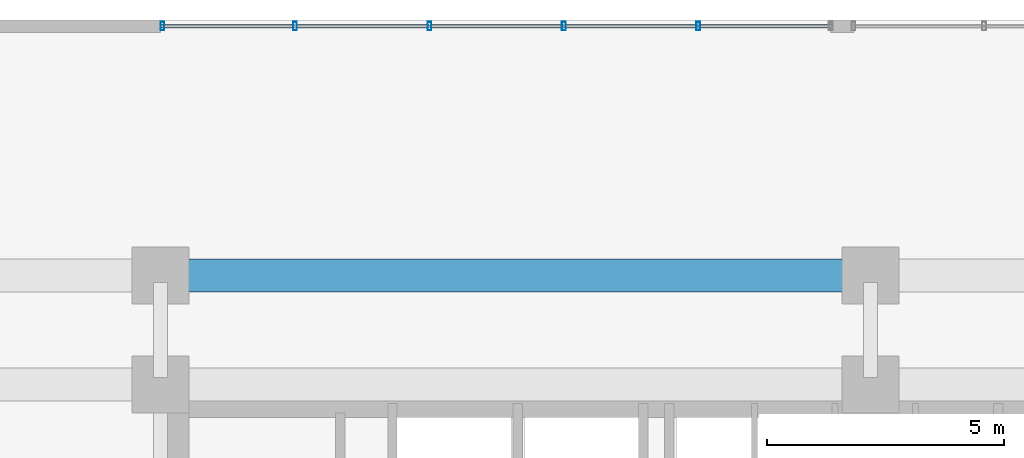
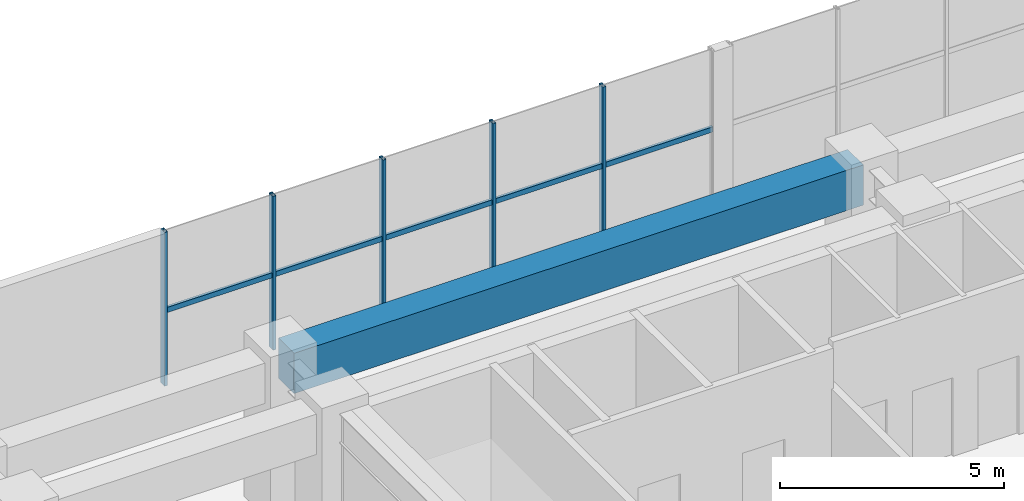
# One storey, part 8 of 24: 10 members, 1 beam, 1 element without a shape of its own.
"""IFC4 building model written with IfcOpenShell, lengths in metres."""

from ifc_helpers import new_model, si_unit, direction, frame, origin, origin_2d, place, context, subcontext, project, spatial, rectangle, hollow_rectangle, extrude, source, transform, mapped, material, material_profile, profile_set, type_object, element, aggregate, save


model = new_model("IFC4")

# Units and contexts
model_context = context("Model", 3, precision=1e-05, world=origin(), true_north=direction((0.0, 1.0)))
body_context = subcontext(model_context, "Body", "Model", "MODEL_VIEW")
ifc_project = project(units=[si_unit("LENGTHUNIT", "METRE"), si_unit("AREAUNIT", "SQUARE_METRE"), si_unit("VOLUMEUNIT", "CUBIC_METRE"), si_unit("PLANEANGLEUNIT", "RADIAN"), si_unit("MASSUNIT", "GRAM", prefix="KILO")], contexts=[model_context])

# Site, building, storey
site_placement = place(None, origin())
site = spatial("IfcSite", under=ifc_project, at=site_placement, CompositionType="ELEMENT")
building_placement = place(site_placement, origin())
building = spatial("IfcBuilding", under=site, at=building_placement, Name="Trelvane Seafront Commons", CompositionType="ELEMENT")
storey_placement = place(building_placement, frame((0.0, 0.0, 5.199951171875)))
storey = spatial("IfcBuildingStorey", under=building, at=storey_placement, Name="L01", CompositionType="ELEMENT", Elevation=5.199951171875)

# Beam
ifc_material_1 = material(Name="Concrete C50/60", Category="concrete")
ifc_material_profile_1 = material_profile(ifc_material_1, rectangle(XDim=0.699951171875, YDim=1.10009765625, at=origin_2d()), Name="RC-700x1100")
ifc_profile_set_1 = profile_set([ifc_material_profile_1], Name="Concrete C50/60")
beam_type = type_object("IfcBeamType", Name="STR-TBM-RC700x1100", PredefinedType="T_BEAM", material=ifc_profile_set_1)
shared_shape_1 = source(origin(), body_context, "Body", "SweptSolid", [
    extrude(rectangle(XDim=0.699951171875, YDim=1.10009765625, at=origin_2d()), origin(), (0.0, 0.0, 1.0), 14.699951171875),
])
beam_placement = place(storey_placement, frame((15.75, 47.39990234375, 3.650146484375), z_axis=(1.0, 0.0, 0.0), x_axis=(0.0, 1.0, 0.0)))
element("IfcBeam", 1, at=beam_placement, inside=storey, type_object=beam_type, Name="L01 Primary Girder G-27", PredefinedType="T_BEAM", context=body_context, shape_type="MappedRepresentation", body=[
    mapped(shared_shape_1, transform((0.0, 0.0, 0.0), x_axis=(1.0, 0.0, 0.0), y_axis=(0.0, 1.0, 0.0), z_axis=(0.0, 0.0, 1.0), scale=1.0)),
])

# Curtain wall, members
ifc_material_2 = material(Name="Anodised pale-silver aluminium", Category="aluminium")
curtain_wall_type = type_object("IfcCurtainWallType", Name="ARCH-CW1-PODIUM", PredefinedType="NOTDEFINED", material=ifc_material_2)
curtain_wall_placement = place(storey_placement, origin())
curtain_wall = element("IfcCurtainWall", 2, at=curtain_wall_placement, inside=storey, type_object=curtain_wall_type, Name="CW-L01-0007", PredefinedType="NOTDEFINED")
ifc_material_profile_2 = material_profile(ifc_material_2, hollow_rectangle(XDim=0.080078125, YDim=0.179931640625, WallThickness=0.00439453125, at=origin_2d()), Name="MULL-80x180x4.5")
ifc_profile_set_2 = profile_set([ifc_material_profile_2], Name="Anodised pale-silver aluminium")
member_type_1 = type_object("IfcMemberType", Name="ARCH-CW-MULL-180", PredefinedType="MULLION", material=ifc_profile_set_2)
shared_shape_2 = source(origin(), body_context, "Body", "SweptSolid", [
    extrude(hollow_rectangle(XDim=0.080078125, YDim=0.179931640625, WallThickness=0.00439453125, at=origin_2d()), origin(), (0.0, 0.0, 1.0), 4.199951171875),
])
member_1_placement = place(storey_placement, frame((15.639892578125, 52.669921875, 0.0), z_axis=(0.0, 0.0, 1.0), x_axis=(1.0, 0.0, 0.0)))
member_1 = element("IfcMember", 3, at=member_1_placement, type_object=member_type_1, Name="CW-L01-0007-M00", PredefinedType="MULLION", context=body_context, shape_type="MappedRepresentation", body=[
    mapped(shared_shape_2, transform((0.0, 0.0, 0.0), x_axis=(1.0, 0.0, 0.0), y_axis=(0.0, 1.0, 0.0), z_axis=(0.0, 0.0, 1.0), scale=1.0)),
])
member_2_placement = place(storey_placement, frame((18.43994140625, 52.669921875, 0.0), z_axis=(0.0, 0.0, 1.0), x_axis=(1.0, 0.0, 0.0)))
member_2 = element("IfcMember", 4, at=member_2_placement, type_object=member_type_1, Name="CW-L01-0007-M01", PredefinedType="MULLION", context=body_context, shape_type="MappedRepresentation", body=[
    mapped(shared_shape_2, transform((0.0, 0.0, 0.0), x_axis=(1.0, 0.0, 0.0), y_axis=(0.0, 1.0, 0.0), z_axis=(0.0, 0.0, 1.0), scale=1.0)),
])
member_3_placement = place(storey_placement, frame((21.280029296875, 52.669921875, 0.0), z_axis=(0.0, 0.0, 1.0), x_axis=(1.0, 0.0, 0.0)))
member_3 = element("IfcMember", 5, at=member_3_placement, type_object=member_type_1, Name="CW-L01-0007-M02", PredefinedType="MULLION", context=body_context, shape_type="MappedRepresentation", body=[
    mapped(shared_shape_2, transform((0.0, 0.0, 0.0), x_axis=(1.0, 0.0, 0.0), y_axis=(0.0, 1.0, 0.0), z_axis=(0.0, 0.0, 1.0), scale=1.0)),
])
member_4_placement = place(storey_placement, frame((24.1201171875, 52.669921875, 0.0), z_axis=(0.0, 0.0, 1.0), x_axis=(1.0, 0.0, 0.0)))
member_4 = element("IfcMember", 6, at=member_4_placement, type_object=member_type_1, Name="CW-L01-0007-M03", PredefinedType="MULLION", context=body_context, shape_type="MappedRepresentation", body=[
    mapped(shared_shape_2, transform((0.0, 0.0, 0.0), x_axis=(1.0, 0.0, 0.0), y_axis=(0.0, 1.0, 0.0), z_axis=(0.0, 0.0, 1.0), scale=1.0)),
])
member_5_placement = place(storey_placement, frame((26.9599609375, 52.669921875, 0.0), z_axis=(0.0, 0.0, 1.0), x_axis=(1.0, 0.0, 0.0)))
member_5 = element("IfcMember", 7, at=member_5_placement, type_object=member_type_1, Name="CW-L01-0007-M04", PredefinedType="MULLION", context=body_context, shape_type="MappedRepresentation", body=[
    mapped(shared_shape_2, transform((0.0, 0.0, 0.0), x_axis=(1.0, 0.0, 0.0), y_axis=(0.0, 1.0, 0.0), z_axis=(0.0, 0.0, 1.0), scale=1.0)),
])
ifc_material_profile_3 = material_profile(ifc_material_2, hollow_rectangle(XDim=0.074951171875, YDim=0.139892578125, WallThickness=0.00390625, at=origin_2d()), Name="TRAN-75x140x4")
ifc_profile_set_3 = profile_set([ifc_material_profile_3], Name="Anodised pale-silver aluminium")
member_type_2 = type_object("IfcMemberType", Name="ARCH-CW-TRAN-140", PredefinedType="USERDEFINED", material=ifc_profile_set_3)
shared_shape_3 = source(origin(), body_context, "Body", "SweptSolid", [
    extrude(hollow_rectangle(XDim=0.074951171875, YDim=0.139892578125, WallThickness=0.00390625, at=origin_2d()), origin(), (0.0, 0.0, 1.0), 2.81591796875),
])
member_6_placement = place(storey_placement, frame((15.612060546875, 52.669921875, 2.01611328125), z_axis=(1.0, 0.0, 0.0), x_axis=(0.0, 1.0, 0.0)))
member_6 = element("IfcMember", 8, at=member_6_placement, type_object=member_type_2, Name="CW-L01-0007-T00", ObjectType="TRANSOM", PredefinedType="USERDEFINED", context=body_context, shape_type="MappedRepresentation", body=[
    mapped(shared_shape_3, transform((0.0, 0.0, 0.0), x_axis=(1.0, 0.0, 0.0), y_axis=(0.0, 1.0, 0.0), z_axis=(0.0, 0.0, 1.0), scale=1.0)),
])
member_7_placement = place(storey_placement, frame((21.2919921875, 52.669921875, 2.01611328125), z_axis=(1.0, 0.0, 0.0), x_axis=(0.0, 1.0, 0.0)))
member_7 = element("IfcMember", 9, at=member_7_placement, type_object=member_type_2, Name="CW-L01-0007-T02", ObjectType="TRANSOM", PredefinedType="USERDEFINED", context=body_context, shape_type="MappedRepresentation", body=[
    mapped(shared_shape_3, transform((0.0, 0.0, 0.0), x_axis=(1.0, 0.0, 0.0), y_axis=(0.0, 1.0, 0.0), z_axis=(0.0, 0.0, 1.0), scale=1.0)),
])
member_8_placement = place(storey_placement, frame((24.132080078125, 52.669921875, 2.01611328125), z_axis=(1.0, 0.0, 0.0), x_axis=(0.0, 1.0, 0.0)))
member_8 = element("IfcMember", 10, at=member_8_placement, type_object=member_type_2, Name="CW-L01-0007-T03", ObjectType="TRANSOM", PredefinedType="USERDEFINED", context=body_context, shape_type="MappedRepresentation", body=[
    mapped(shared_shape_3, transform((0.0, 0.0, 0.0), x_axis=(1.0, 0.0, 0.0), y_axis=(0.0, 1.0, 0.0), z_axis=(0.0, 0.0, 1.0), scale=1.0)),
])
shared_shape_4 = source(origin(), body_context, "Body", "SweptSolid", [
    extrude(hollow_rectangle(XDim=0.074951171875, YDim=0.139892578125, WallThickness=0.00390625, at=origin_2d()), origin(), (0.0, 0.0, 1.0), 2.816162109375),
])
member_9_placement = place(storey_placement, frame((18.451904296875, 52.669921875, 2.01611328125), z_axis=(1.0, 0.0, 0.0), x_axis=(0.0, 1.0, 0.0)))
member_9 = element("IfcMember", 11, at=member_9_placement, type_object=member_type_2, Name="CW-L01-0007-T01", ObjectType="TRANSOM", PredefinedType="USERDEFINED", context=body_context, shape_type="MappedRepresentation", body=[
    mapped(shared_shape_4, transform((0.0, 0.0, 0.0), x_axis=(1.0, 0.0, 0.0), y_axis=(0.0, 1.0, 0.0), z_axis=(0.0, 0.0, 1.0), scale=1.0)),
])
member_10_placement = place(storey_placement, frame((26.971923828125, 52.669921875, 2.01611328125), z_axis=(1.0, 0.0, 0.0), x_axis=(0.0, 1.0, 0.0)))
member_10 = element("IfcMember", 12, at=member_10_placement, type_object=member_type_2, Name="CW-L01-0007-T04", ObjectType="TRANSOM", PredefinedType="USERDEFINED", context=body_context, shape_type="MappedRepresentation", body=[
    mapped(shared_shape_4, transform((0.0, 0.0, 0.0), x_axis=(1.0, 0.0, 0.0), y_axis=(0.0, 1.0, 0.0), z_axis=(0.0, 0.0, 1.0), scale=1.0)),
])
aggregate(curtain_wall, [member_1, member_2, member_3, member_4, member_5, member_6, member_9, member_7, member_8, member_10])

save(model, "model.ifc")
